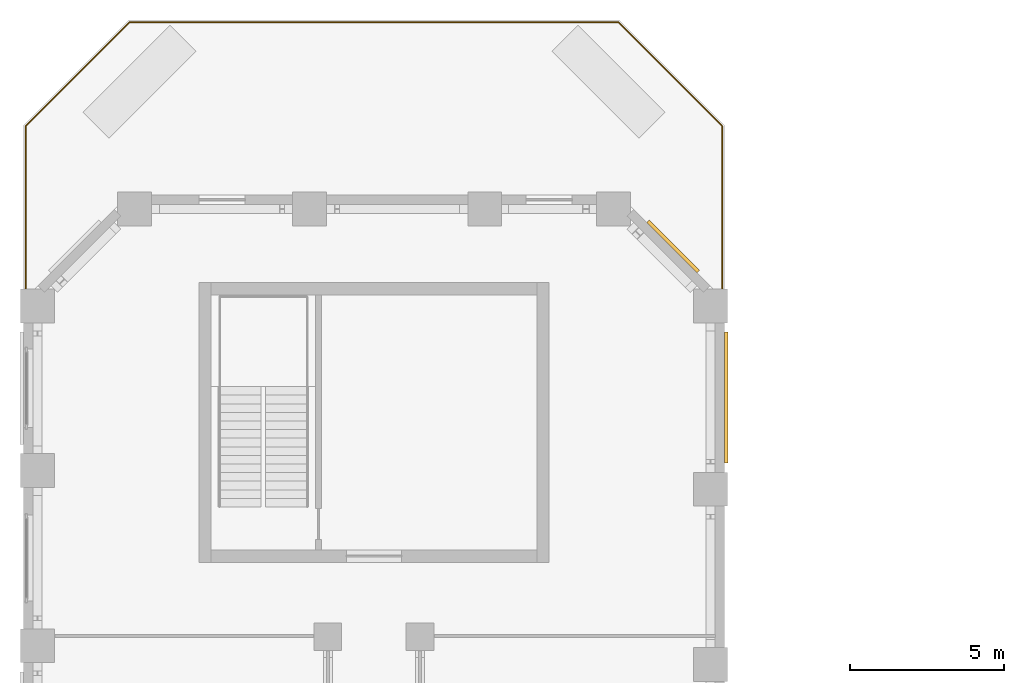
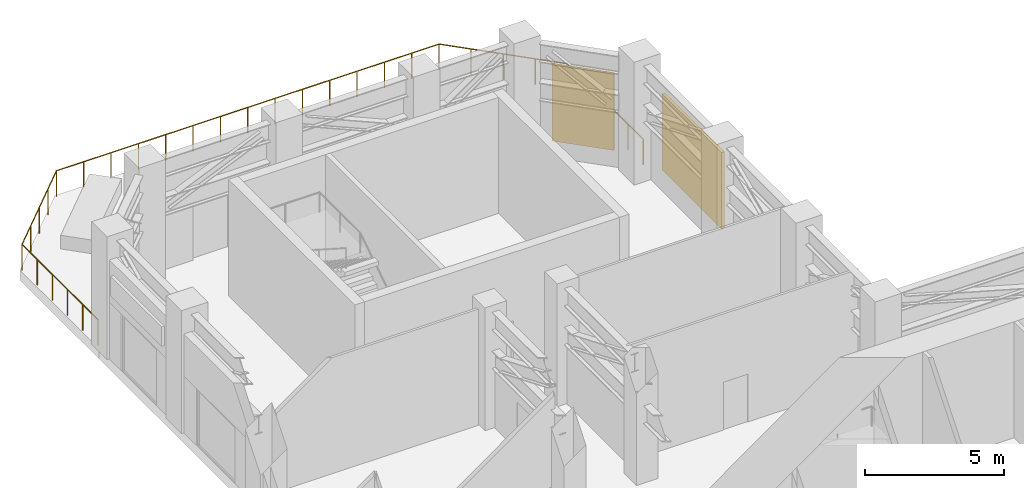
# One storey, part 20 of 21: 2 shading devices, 1 railing.
"""IFC4 building model written with IfcOpenShell, lengths in metres."""

from ifc_helpers import new_model, si_unit, direction, frame, origin, origin_2d, place, context, subcontext, project, spatial, rectangle, circle, extrude, material, layer, layer_set, type_object, element, save


model = new_model("IFC4")

# Units and contexts
model_context = context("Model", 3, precision=1e-05, world=origin(), true_north=direction((0.0, 1.0)))
body_context = subcontext(model_context, "Body", "Model", "MODEL_VIEW")
ifc_project = project(units=[si_unit("LENGTHUNIT", "METRE"), si_unit("AREAUNIT", "SQUARE_METRE"), si_unit("VOLUMEUNIT", "CUBIC_METRE"), si_unit("PLANEANGLEUNIT", "RADIAN"), si_unit("MASSUNIT", "GRAM", prefix="KILO")], contexts=[model_context])

# Site, building, storey
site_placement = place(None, origin())
site = spatial("IfcSite", under=ifc_project, at=site_placement, CompositionType="ELEMENT")
building_placement = place(site_placement, origin())
building = spatial("IfcBuilding", under=site, at=building_placement, Name="Meshkara Civic Tower", CompositionType="ELEMENT")
storey_placement = place(building_placement, frame((0.0, 0.0, 284.39990234375)))
storey = spatial("IfcBuildingStorey", under=building, at=storey_placement, Name="L65", CompositionType="ELEMENT", Elevation=284.39990234375)

# Shading devices
ifc_material_1 = material(Name="Bronze anodised aluminium louvre blades", Category="aluminium")
ifc_layer = layer(ifc_material_1, 0.1201171875)
ifc_layer_set = layer_set([ifc_layer], Name="PLANT LOUVRE BANK")
shading_device_type = type_object("IfcShadingDeviceType", Name="PLANT LOUVRE BANK", PredefinedType="USERDEFINED", material=ifc_layer_set)
shading_device_1_placement = place(storey_placement, frame((22.860107421875, 53.83203125, 0.5), z_axis=(0.0, 0.0, 1.0), x_axis=(0.0, 1.0, 0.0)))
element("IfcShadingDevice", 1, at=shading_device_1_placement, inside=storey, type_object=shading_device_type, Name="Louvre bank", ObjectType="LOUVRE", PredefinedType="USERDEFINED", context=body_context, shape_type="SweptSolid", body=[
    extrude(rectangle(XDim=4.263916015625, YDim=0.1201171875, at=origin_2d()), origin(), (0.0, 0.0, 1.0), 3.35009765625),
])
shading_device_2_placement = place(storey_placement, frame((21.132080078125, 58.751953125, 0.5), z_axis=(0.0, 0.0, 1.0), x_axis=(-0.707106781187, 0.707106781187, 0.0)))
element("IfcShadingDevice", 2, at=shading_device_2_placement, inside=storey, type_object=shading_device_type, Name="Louvre bank", ObjectType="LOUVRE", PredefinedType="USERDEFINED", context=body_context, shape_type="SweptSolid", body=[
    extrude(rectangle(XDim=2.30810546875, YDim=0.1201171875, at=origin_2d()), origin(), (0.0, 0.0, 1.0), 3.35009765625),
])

# Railing
ifc_material_2 = material(Name="Steel S355", Category="steel")
railing_type = type_object("IfcRailingType", Name="TERRACE BALUSTRADE 1150", PredefinedType="BALUSTRADE", material=ifc_material_2)
railing_placement = place(storey_placement, frame((0.070068359375, 57.2109375, 0.0)))
element("IfcRailing", 3, at=railing_placement, inside=storey, type_object=railing_type, Name="Terrace guard", PredefinedType="BALUSTRADE", context=body_context, shape_type="SweptSolid", body=[
    extrude(circle(Radius=0.02392578125, at=origin_2d()), frame((0.0, 0.0, 1.1259765625), z_axis=(0.0, 1.0, 0.0), x_axis=(-1.0, 0.0, 0.0)), (0.0, 0.0, 1.0), 5.4599609375),
    extrude(circle(Radius=0.02392578125, at=origin_2d()), frame((0.0, 5.4599609375, 1.1259765625), z_axis=(0.707081235883, 0.707132325567, 0.0), x_axis=(-0.707132325567, 0.707081235883, 0.0)), (0.0, 0.0, 1.0), 4.778564453125),
    extrude(circle(Radius=0.02392578125, at=origin_2d()), frame((3.37890625, 8.839111328125, 1.1259765625), z_axis=(1.0, 0.0, 0.0), x_axis=(0.0, 1.0, 0.0)), (0.0, 0.0, 1.0), 15.902099609375),
    extrude(circle(Radius=0.02392578125, at=origin_2d()), frame((19.281005859375, 8.839111328125, 1.1259765625), z_axis=(0.707081235883, -0.707132325567, 0.0), x_axis=(0.707132325567, 0.707081235883, 0.0)), (0.0, 0.0, 1.0), 4.778564453125),
    extrude(circle(Radius=0.02392578125, at=origin_2d()), frame((22.659912109375, 5.4599609375, 1.1259765625), z_axis=(0.0, -1.0, 0.0), x_axis=(1.0, 0.0, 0.0)), (0.0, 0.0, 1.0), 5.4599609375),
    extrude(circle(Radius=0.02099609375, at=origin_2d()), origin(), (0.0, 0.0, 1.0), 1.101806640625),
    extrude(circle(Radius=0.02099609375, at=origin_2d()), frame((0.0, 1.092041015625, 0.0)), (0.0, 0.0, 1.0), 1.101806640625),
    extrude(circle(Radius=0.02099609375, at=origin_2d()), frame((0.0, 2.18408203125, 0.0)), (0.0, 0.0, 1.0), 1.101806640625),
    extrude(circle(Radius=0.02099609375, at=origin_2d()), frame((0.0, 3.27587890625, 0.0)), (0.0, 0.0, 1.0), 1.101806640625),
    extrude(circle(Radius=0.02099609375, at=origin_2d()), frame((0.0, 4.367919921875, 0.0)), (0.0, 0.0, 1.0), 1.101806640625),
    extrude(circle(Radius=0.02099609375, at=origin_2d()), frame((0.0, 5.4599609375, 0.0)), (0.0, 0.0, 1.0), 1.101806640625),
    extrude(circle(Radius=0.02099609375, at=origin_2d()), frame((0.8447265625, 6.3046875, 0.0)), (0.0, 0.0, 1.0), 1.101806640625),
    extrude(circle(Radius=0.02099609375, at=origin_2d()), frame((1.689453125, 7.1494140625, 0.0)), (0.0, 0.0, 1.0), 1.101806640625),
    extrude(circle(Radius=0.02099609375, at=origin_2d()), frame((2.5341796875, 7.994384765625, 0.0)), (0.0, 0.0, 1.0), 1.101806640625),
    extrude(circle(Radius=0.02099609375, at=origin_2d()), frame((3.37890625, 8.839111328125, 0.0)), (0.0, 0.0, 1.0), 1.101806640625),
    extrude(circle(Radius=0.02099609375, at=origin_2d()), frame((4.5146484375, 8.839111328125, 0.0)), (0.0, 0.0, 1.0), 1.101806640625),
    extrude(circle(Radius=0.02099609375, at=origin_2d()), frame((5.650634765625, 8.839111328125, 0.0)), (0.0, 0.0, 1.0), 1.101806640625),
    extrude(circle(Radius=0.02099609375, at=origin_2d()), frame((6.78662109375, 8.839111328125, 0.0)), (0.0, 0.0, 1.0), 1.101806640625),
    extrude(circle(Radius=0.02099609375, at=origin_2d()), frame((7.92236328125, 8.839111328125, 0.0)), (0.0, 0.0, 1.0), 1.101806640625),
    extrude(circle(Radius=0.02099609375, at=origin_2d()), frame((9.05810546875, 8.839111328125, 0.0)), (0.0, 0.0, 1.0), 1.101806640625),
    extrude(circle(Radius=0.02099609375, at=origin_2d()), frame((10.194091796875, 8.839111328125, 0.0)), (0.0, 0.0, 1.0), 1.101806640625),
    extrude(circle(Radius=0.02099609375, at=origin_2d()), frame((11.330078125, 8.839111328125, 0.0)), (0.0, 0.0, 1.0), 1.101806640625),
    extrude(circle(Radius=0.02099609375, at=origin_2d()), frame((12.4658203125, 8.839111328125, 0.0)), (0.0, 0.0, 1.0), 1.101806640625),
    extrude(circle(Radius=0.02099609375, at=origin_2d()), frame((13.6015625, 8.839111328125, 0.0)), (0.0, 0.0, 1.0), 1.101806640625),
    extrude(circle(Radius=0.02099609375, at=origin_2d()), frame((14.737548828125, 8.839111328125, 0.0)), (0.0, 0.0, 1.0), 1.101806640625),
    extrude(circle(Radius=0.02099609375, at=origin_2d()), frame((15.87353515625, 8.839111328125, 0.0)), (0.0, 0.0, 1.0), 1.101806640625),
    extrude(circle(Radius=0.02099609375, at=origin_2d()), frame((17.00927734375, 8.839111328125, 0.0)), (0.0, 0.0, 1.0), 1.101806640625),
    extrude(circle(Radius=0.02099609375, at=origin_2d()), frame((18.14501953125, 8.839111328125, 0.0)), (0.0, 0.0, 1.0), 1.101806640625),
    extrude(circle(Radius=0.02099609375, at=origin_2d()), frame((19.281005859375, 8.839111328125, 0.0)), (0.0, 0.0, 1.0), 1.101806640625),
    extrude(circle(Radius=0.02099609375, at=origin_2d()), frame((20.125732421875, 7.994384765625, 0.0)), (0.0, 0.0, 1.0), 1.101806640625),
    extrude(circle(Radius=0.02099609375, at=origin_2d()), frame((20.970458984375, 7.1494140625, 0.0)), (0.0, 0.0, 1.0), 1.101806640625),
    extrude(circle(Radius=0.02099609375, at=origin_2d()), frame((21.815185546875, 6.3046875, 0.0)), (0.0, 0.0, 1.0), 1.101806640625),
    extrude(circle(Radius=0.02099609375, at=origin_2d()), frame((22.659912109375, 5.4599609375, 0.0)), (0.0, 0.0, 1.0), 1.101806640625),
    extrude(circle(Radius=0.02099609375, at=origin_2d()), frame((22.659912109375, 4.367919921875, 0.0)), (0.0, 0.0, 1.0), 1.101806640625),
    extrude(circle(Radius=0.02099609375, at=origin_2d()), frame((22.659912109375, 3.27587890625, 0.0)), (0.0, 0.0, 1.0), 1.101806640625),
    extrude(circle(Radius=0.02099609375, at=origin_2d()), frame((22.659912109375, 2.18408203125, 0.0)), (0.0, 0.0, 1.0), 1.101806640625),
    extrude(circle(Radius=0.02099609375, at=origin_2d()), frame((22.659912109375, 1.092041015625, 0.0)), (0.0, 0.0, 1.0), 1.101806640625),
    extrude(circle(Radius=0.02099609375, at=origin_2d()), frame((22.659912109375, 0.0, 0.0)), (0.0, 0.0, 1.0), 1.101806640625),
])

save(model, "model.ifc")
